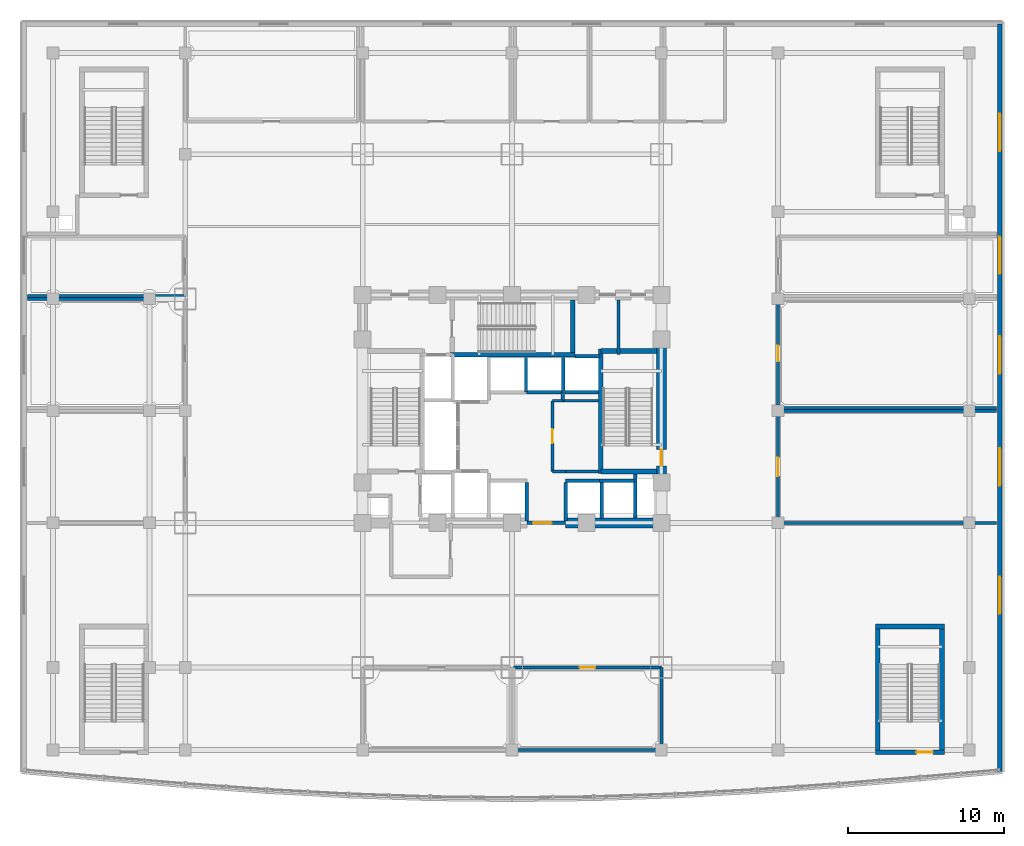
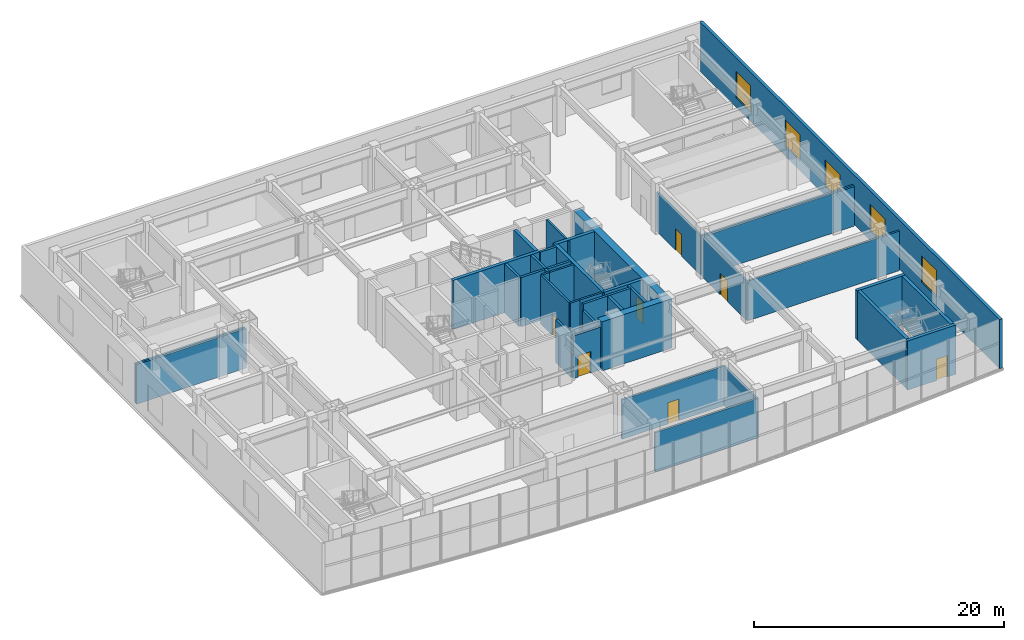
# One storey, part 13 of 24: 41 walls, 7 doors, 5 windows, 12 openings.
"""IFC4 building model written with IfcOpenShell, lengths in metres."""

from ifc_helpers import new_model, si_unit, direction, frame, frame_2d, origin, place, context, subcontext, project, spatial, rectangle, extrude, material, layer, layer_set, type_object, element, fill, save


model = new_model("IFC4")

# Units and contexts
model_context = context("Model", 3, precision=1e-05, world=origin(), true_north=direction((0.0, 1.0)))
body_context = subcontext(model_context, "Body", "Model", "MODEL_VIEW")
ifc_project = project(units=[si_unit("LENGTHUNIT", "METRE"), si_unit("AREAUNIT", "SQUARE_METRE"), si_unit("VOLUMEUNIT", "CUBIC_METRE"), si_unit("PLANEANGLEUNIT", "RADIAN"), si_unit("MASSUNIT", "GRAM", prefix="KILO")], contexts=[model_context])

# Site, building, storey
site_placement = place(None, origin())
site = spatial("IfcSite", under=ifc_project, at=site_placement, CompositionType="ELEMENT")
building_placement = place(site_placement, origin())
building = spatial("IfcBuilding", under=site, at=building_placement, Name="Vantalir Tower", CompositionType="ELEMENT")
storey_placement = place(building_placement, frame((0.0, 0.0, 11.0)))
storey = spatial("IfcBuildingStorey", under=building, at=storey_placement, Name="L02", CompositionType="ELEMENT", Elevation=11.0)

# Wall
ifc_material_1 = material(Name="Concrete C60/75", Category="concrete")
ifc_layer_1 = layer(ifc_material_1, 0.64990234375)
ifc_layer_set_1 = layer_set([ifc_layer_1], Name="Concrete C60/75")
wall_type_1 = type_object("IfcWallType", Name="WL-CORE-650", PredefinedType="SHEAR", material=ifc_layer_set_1)
wall_1_placement = place(storey_placement, frame((34.949951171875, 17.800048828125, 0.0), z_axis=(0.0, 0.0, 1.0), x_axis=(1.0, 0.0, 0.0)))
element("IfcWall", 1, at=wall_1_placement, inside=storey, type_object=wall_type_1, Name="Floor 2 Core Shear Wall South-East", PredefinedType="SHEAR", context=body_context, shape_type="SweptSolid", body=[
    extrude(rectangle(XDim=6.47509765625, YDim=0.64990234375, at=frame_2d((3.237548828125, 0.0))), origin(), (0.0, 0.0, 1.0), 4.820068359375),
])

# Wall, opening, door
wall_2_placement = place(storey_placement, frame((41.10009765625, 18.125, 0.0), z_axis=(0.0, 0.0, 1.0), x_axis=(0.0, 1.0, 0.0)))
wall_2 = element("IfcWall", 2, at=wall_2_placement, inside=storey, type_object=wall_type_1, Name="Floor 2 Core Shear Wall East", PredefinedType="SHEAR", context=body_context, shape_type="SweptSolid", body=[
    extrude(rectangle(XDim=14.0, YDim=0.64990234375, at=frame_2d((7.0, 0.0))), origin(), (0.0, 0.0, 1.0), 4.820068359375),
])
opening_1_placement = place(wall_2_placement, frame((3.3349609375, 0.0, 0.0)))
opening_1 = element("IfcOpeningElement", 3, at=opening_1_placement, cuts=wall_2, Name="Opening D-ST", PredefinedType="OPENING", context=body_context, shape_type="SweptSolid", body=[
    extrude(rectangle(XDim=1.050048828125, YDim=2.10009765625, at=frame_2d((0.52490234375, 1.050048828125))), frame((0.0, 0.3349609375, 0.0), z_axis=(0.0, -1.0, 0.0), x_axis=(1.0, 0.0, 0.0)), (0.0, 0.0, 1.0), 0.669921875),
])
ifc_material_2 = material(Name="Fire-rated steel door leaf", Category="steel")
door_type_1 = type_object("IfcDoorType", Name="DR-FIRE-STAIR-1050", OperationType="NOTDEFINED", PredefinedType="DOOR", material=ifc_material_2)
door_1_placement = place(opening_1_placement, origin())
door_1 = element("IfcDoor", 4, at=door_1_placement, inside=storey, type_object=door_type_1, Name="Floor 2 Exit Stair ST2 Fire Door", OperationType="SINGLE_SWING_LEFT", OverallHeight=2.10009765625, OverallWidth=1.050048828125, PredefinedType="DOOR", context=body_context, shape_type="SweptSolid", body=[
    extrude(rectangle(XDim=1.050048828125, YDim=2.10009765625, at=frame_2d((0.52490234375, 1.050048828125))), frame((0.0, 0.02490234375, 0.0), z_axis=(0.0, -1.0, 0.0), x_axis=(1.0, 0.0, 0.0)), (0.0, 0.0, 1.0), 0.050048828125),
])
fill(opening_1, door_1)

# Wall, openings, windows
ifc_material_3 = material(Name="Precast concrete C40/50 with insulated PVDF rainscreen", Category="concrete")
ifc_layer_2 = layer(ifc_material_3, 0.280029296875)
ifc_layer_set_2 = layer_set([ifc_layer_2], Name="Precast concrete C40/50 with insulated PVDF rainscreen")
wall_type_2 = type_object("IfcWallType", Name="WL-EXT-POD-280", PredefinedType="SOLIDWALL", material=ifc_layer_set_2)
wall_3_placement = place(storey_placement, frame((62.860107421875, 1.800048828125, 0.0), z_axis=(0.0, 0.0, 1.0), x_axis=(0.0, 1.0, 0.0)))
wall_3 = element("IfcWall", 5, at=wall_3_placement, inside=storey, type_object=wall_type_2, Name="Level 02 Podium East Precast Facade Wall", PredefinedType="SOLIDWALL", context=body_context, shape_type="SweptSolid", body=[
    extrude(rectangle(XDim=48.06005859375, YDim=0.280029296875, at=frame_2d((24.030029296875, 0.0))), origin(), (0.0, 0.0, 1.0), 4.820068359375),
])
opening_2_placement = place(wall_3_placement, frame((10.14990234375, 0.0, 0.89990234375)))
opening_2 = element("IfcOpeningElement", 6, at=opening_2_placement, cuts=wall_3, Name="Opening WN-1", PredefinedType="OPENING", context=body_context, shape_type="SweptSolid", body=[
    extrude(rectangle(XDim=2.39990234375, YDim=2.60009765625, at=frame_2d((1.199951171875, 1.300048828125))), frame((0.0, 0.14990234375, 0.0), z_axis=(0.0, -1.0, 0.0), x_axis=(1.0, 0.0, 0.0)), (0.0, 0.0, 1.0), 0.300048828125),
])
opening_3_placement = place(wall_3_placement, frame((18.39990234375, 0.0, 0.89990234375)))
opening_3 = element("IfcOpeningElement", 7, at=opening_3_placement, cuts=wall_3, Name="Opening WN-1", PredefinedType="OPENING", context=body_context, shape_type="SweptSolid", body=[
    extrude(rectangle(XDim=2.39990234375, YDim=2.60009765625, at=frame_2d((1.199951171875, 1.300048828125))), frame((0.0, 0.14990234375, 0.0), z_axis=(0.0, -1.0, 0.0), x_axis=(1.0, 0.0, 0.0)), (0.0, 0.0, 1.0), 0.300048828125),
])
opening_4_placement = place(wall_3_placement, frame((25.60009765625, 0.0, 0.89990234375)))
opening_4 = element("IfcOpeningElement", 8, at=opening_4_placement, cuts=wall_3, Name="Opening WN-1", PredefinedType="OPENING", context=body_context, shape_type="SweptSolid", body=[
    extrude(rectangle(XDim=2.39990234375, YDim=2.60009765625, at=frame_2d((1.199951171875, 1.300048828125))), frame((0.0, 0.14990234375, 0.0), z_axis=(0.0, -1.0, 0.0), x_axis=(1.0, 0.0, 0.0)), (0.0, 0.0, 1.0), 0.300048828125),
])
opening_5_placement = place(wall_3_placement, frame((32.0, 0.0, 0.89990234375)))
opening_5 = element("IfcOpeningElement", 9, at=opening_5_placement, cuts=wall_3, Name="Opening WN-1", PredefinedType="OPENING", context=body_context, shape_type="SweptSolid", body=[
    extrude(rectangle(XDim=2.39990234375, YDim=2.60009765625, at=frame_2d((1.199951171875, 1.300048828125))), frame((0.0, 0.14990234375, 0.0), z_axis=(0.0, -1.0, 0.0), x_axis=(1.0, 0.0, 0.0)), (0.0, 0.0, 1.0), 0.300048828125),
])
opening_6_placement = place(wall_3_placement, frame((39.89990234375, 0.0, 0.89990234375)))
opening_6 = element("IfcOpeningElement", 10, at=opening_6_placement, cuts=wall_3, Name="Opening WN-1", PredefinedType="OPENING", context=body_context, shape_type="SweptSolid", body=[
    extrude(rectangle(XDim=2.39990234375, YDim=2.60009765625, at=frame_2d((1.199951171875, 1.300048828125))), frame((0.0, 0.14990234375, 0.0), z_axis=(0.0, -1.0, 0.0), x_axis=(1.0, 0.0, 0.0)), (0.0, 0.0, 1.0), 0.300048828125),
])
ifc_material_4 = material(Name="Double-silver Low-E thermally broken window", Category="glass")
window_type = type_object("IfcWindowType", Name="WIN-POD-2400x2600", PartitioningType="SINGLE_PANEL", PredefinedType="WINDOW", material=ifc_material_4)
window_1_placement = place(opening_2_placement, origin())
window_1 = element("IfcWindow", 11, at=window_1_placement, inside=storey, type_object=window_type, Name="Level 02 East Podium Window E01", OverallHeight=2.60009765625, OverallWidth=2.39990234375, PartitioningType="SINGLE_PANEL", PredefinedType="WINDOW", context=body_context, shape_type="SweptSolid", body=[
    extrude(rectangle(XDim=2.39990234375, YDim=2.60009765625, at=frame_2d((1.199951171875, 1.300048828125))), frame((0.0, 0.030029296875, 0.0), z_axis=(0.0, -1.0, 0.0), x_axis=(1.0, 0.0, 0.0)), (0.0, 0.0, 1.0), 0.06005859375),
])
fill(opening_2, window_1)
window_2_placement = place(opening_3_placement, origin())
window_2 = element("IfcWindow", 12, at=window_2_placement, inside=storey, type_object=window_type, Name="Level 02 East Podium Window E02", OverallHeight=2.60009765625, OverallWidth=2.39990234375, PartitioningType="SINGLE_PANEL", PredefinedType="WINDOW", context=body_context, shape_type="SweptSolid", body=[
    extrude(rectangle(XDim=2.39990234375, YDim=2.60009765625, at=frame_2d((1.199951171875, 1.300048828125))), frame((0.0, 0.030029296875, 0.0), z_axis=(0.0, -1.0, 0.0), x_axis=(1.0, 0.0, 0.0)), (0.0, 0.0, 1.0), 0.06005859375),
])
fill(opening_3, window_2)
window_3_placement = place(opening_4_placement, origin())
window_3 = element("IfcWindow", 13, at=window_3_placement, inside=storey, type_object=window_type, Name="Level 02 East Podium Window E03", OverallHeight=2.60009765625, OverallWidth=2.39990234375, PartitioningType="SINGLE_PANEL", PredefinedType="WINDOW", context=body_context, shape_type="SweptSolid", body=[
    extrude(rectangle(XDim=2.39990234375, YDim=2.60009765625, at=frame_2d((1.199951171875, 1.300048828125))), frame((0.0, 0.030029296875, 0.0), z_axis=(0.0, -1.0, 0.0), x_axis=(1.0, 0.0, 0.0)), (0.0, 0.0, 1.0), 0.06005859375),
])
fill(opening_4, window_3)
window_4_placement = place(opening_5_placement, origin())
window_4 = element("IfcWindow", 14, at=window_4_placement, inside=storey, type_object=window_type, Name="Level 02 East Podium Window E04", OverallHeight=2.60009765625, OverallWidth=2.39990234375, PartitioningType="SINGLE_PANEL", PredefinedType="WINDOW", context=body_context, shape_type="SweptSolid", body=[
    extrude(rectangle(XDim=2.39990234375, YDim=2.60009765625, at=frame_2d((1.199951171875, 1.300048828125))), frame((0.0, 0.030029296875, 0.0), z_axis=(0.0, -1.0, 0.0), x_axis=(1.0, 0.0, 0.0)), (0.0, 0.0, 1.0), 0.06005859375),
])
fill(opening_5, window_4)
window_5_placement = place(opening_6_placement, origin())
window_5 = element("IfcWindow", 15, at=window_5_placement, inside=storey, type_object=window_type, Name="Level 02 East Podium Window E05", OverallHeight=2.60009765625, OverallWidth=2.39990234375, PartitioningType="SINGLE_PANEL", PredefinedType="WINDOW", context=body_context, shape_type="SweptSolid", body=[
    extrude(rectangle(XDim=2.39990234375, YDim=2.60009765625, at=frame_2d((1.199951171875, 1.300048828125))), frame((0.0, 0.030029296875, 0.0), z_axis=(0.0, -1.0, 0.0), x_axis=(1.0, 0.0, 0.0)), (0.0, 0.0, 1.0), 0.06005859375),
])
fill(opening_6, window_5)

# Walls
ifc_material_5 = material(Name="Concrete blockwork with fireboard lining", Category="masonry")
ifc_layer_3 = layer(ifc_material_5, 0.219970703125)
ifc_layer_set_3 = layer_set([ifc_layer_3], Name="Concrete blockwork with fireboard lining")
wall_type_3 = type_object("IfcWallType", Name="WL-FFL-220", PredefinedType="PARTITIONING", material=ifc_layer_set_3)
for number, where, z_axis, x_axis, name in (
    (16, (32.449951171875, 17.919921875, 0.0), (0.0, 0.0, 1.0), (0.0, 1.0, 0.0), "Level 02 Shuttle Lift PL-X1 East Shaft Cheek"),
    (17, (34.949951171875, 17.919921875, 0.0), (0.0, 0.0, 1.0), (0.0, 1.0, 0.0), "Level 02 Shuttle Lift PL-X3 West Shaft Cheek"),
):
    element("IfcWall", number, at=place(storey_placement, frame(where, z_axis=z_axis, x_axis=x_axis)), inside=storey, type_object=wall_type_3, Name=name, PredefinedType="PARTITIONING", context=body_context, shape_type="SweptSolid", body=[
        extrude(rectangle(XDim=2.469970703125, YDim=0.219970703125, at=frame_2d((1.23486328125, 0.0))), origin(), (0.0, 0.0, 1.0), 4.177978515625),
    ])
wall_4_placement = place(storey_placement, frame((37.27490234375, 18.080078125, 0.0), z_axis=(0.0, 0.0, 1.0), x_axis=(0.0, 1.0, 0.0)))
element("IfcWall", 18, at=wall_4_placement, inside=storey, type_object=wall_type_3, Name="Level 02 Shuttle Lift PL-X2/X3 Shaft Divider", PredefinedType="PARTITIONING", context=body_context, shape_type="SweptSolid", body=[
    extrude(rectangle(XDim=2.309814453125, YDim=0.219970703125, at=frame_2d((1.15478515625, 0.0))), origin(), (0.0, 0.0, 1.0), 4.794921875),
])
wall_5_placement = place(storey_placement, frame((32.39990234375, 26.199951171875, 0.0), z_axis=(0.0, 0.0, 1.0), x_axis=(0.0, 1.0, 0.0)))
element("IfcWall", 19, at=wall_5_placement, inside=storey, type_object=wall_type_3, Name="Level 02 High-Rise Lift PL-H1/H2 Shaft Divider", PredefinedType="PARTITIONING", context=body_context, shape_type="SweptSolid", body=[
    extrude(rectangle(XDim=2.239990234375, YDim=0.219970703125, at=frame_2d((1.1201171875, 0.0))), origin(), (0.0, 0.0, 1.0), 4.794921875),
])
wall_6_placement = place(storey_placement, frame((34.800048828125, 26.22998046875, 0.0), z_axis=(0.0, 0.0, 1.0), x_axis=(0.0, 1.0, 0.0)))
element("IfcWall", 20, at=wall_6_placement, inside=storey, type_object=wall_type_3, Name="Level 02 High-Rise Lift PL-H2/H3 Shaft Divider", PredefinedType="PARTITIONING", context=body_context, shape_type="SweptSolid", body=[
    extrude(rectangle(XDim=2.2099609375, YDim=0.219970703125, at=frame_2d((1.10498046875, 0.0))), origin(), (0.0, 0.0, 1.0), 4.794921875),
])
wall_7_placement = place(storey_placement, frame((34.909912109375, 26.18994140625, 0.0), z_axis=(0.0, 0.0, 1.0), x_axis=(1.0, 0.0, 0.0)))
element("IfcWall", 21, at=wall_7_placement, inside=storey, type_object=wall_type_3, Name="Level 02 High-Rise Lift PL-H3 Rear Shaft Wall", PredefinedType="PARTITIONING", context=body_context, shape_type="SweptSolid", body=[
    extrude(rectangle(XDim=2.14013671875, YDim=0.219970703125, at=frame_2d((1.070068359375, 0.0))), origin(), (0.0, 0.0, 1.0), 4.794921875),
])

# Wall, opening, door
wall_8_placement = place(storey_placement, frame((32.449951171875, 17.800048828125, 0.0), z_axis=(0.0, 0.0, 1.0), x_axis=(1.0, 0.0, 0.0)))
wall_8 = element("IfcWall", 22, at=wall_8_placement, inside=storey, type_object=wall_type_3, Name="Floor 2 Passenger Lift Lobby South Wall", PredefinedType="PARTITIONING", context=body_context, shape_type="SweptSolid", body=[
    extrude(rectangle(XDim=2.5, YDim=0.219970703125, at=frame_2d((1.25, 0.0))), origin(), (0.0, 0.0, 1.0), 4.177978515625),
])
opening_7_placement = place(wall_8_placement, frame((0.39990234375, 0.0, 0.0)))
opening_7 = element("IfcOpeningElement", 23, at=opening_7_placement, cuts=wall_8, Name="Opening D-STE", PredefinedType="OPENING", context=body_context, shape_type="SweptSolid", body=[
    extrude(rectangle(XDim=1.199951171875, YDim=2.10009765625, at=frame_2d((0.60009765625, 1.050048828125))), frame((0.0, 0.119873046875, 0.0), z_axis=(0.0, -1.0, 0.0), x_axis=(1.0, 0.0, 0.0)), (0.0, 0.0, 1.0), 0.239990234375),
])
ifc_material_6 = material(Name="Solid-core teak veneer suite entrance door", Category="wood")
door_type_2 = type_object("IfcDoorType", Name="DR-SUITE-ENTRY-1200", OperationType="NOTDEFINED", PredefinedType="DOOR", material=ifc_material_6)
door_2_placement = place(opening_7_placement, origin())
door_2 = element("IfcDoor", 24, at=door_2_placement, inside=storey, type_object=door_type_2, Name="Floor 2 Passenger Lift Lobby Concourse Door", OperationType="SINGLE_SWING_LEFT", OverallHeight=2.10009765625, OverallWidth=1.199951171875, PredefinedType="DOOR", context=body_context, shape_type="SweptSolid", body=[
    extrude(rectangle(XDim=1.199951171875, YDim=2.10009765625, at=frame_2d((0.60009765625, 1.050048828125))), frame((0.0, 0.02490234375, 0.0), z_axis=(0.0, -1.0, 0.0), x_axis=(1.0, 0.0, 0.0)), (0.0, 0.0, 1.0), 0.050048828125),
])
fill(opening_7, door_2)

# Walls
wall_9_placement = place(storey_placement, frame((39.419921875, 18.125, 0.0), z_axis=(0.0, 0.0, 1.0), x_axis=(0.0, 1.0, 0.0)))
element("IfcWall", 25, at=wall_9_placement, inside=storey, type_object=wall_type_3, Name="Floor 2 East MEP Riser Wall W", PredefinedType="PARTITIONING", context=body_context, shape_type="SweptSolid", body=[
    extrude(rectangle(XDim=2.824951171875, YDim=0.219970703125, at=frame_2d((1.41259765625, 0.0))), origin(), (0.0, 0.0, 1.0), 4.800048828125),
])
for number, where, z_axis, x_axis, name in (
    (26, (37.139892578125, 20.510009765625, 0.0), (0.0, 0.0, 1.0), (1.0, 0.0, 0.0), "Floor 2 Lift PL-X2 Shaft Rear Wall"),
    (27, (34.93994140625, 20.510009765625, 0.0), (0.0, 0.0, 1.0), (1.0, 0.0, 0.0), "Floor 2 Lift PL-X3 Shaft Front Wall"),
):
    element("IfcWall", number, at=place(storey_placement, frame(where, z_axis=z_axis, x_axis=x_axis)), inside=storey, type_object=wall_type_3, Name=name, PredefinedType="PARTITIONING", context=body_context, shape_type="SweptSolid", body=[
        extrude(rectangle(XDim=2.239990234375, YDim=0.219970703125, at=frame_2d((1.1201171875, 0.0))), origin(), (0.0, 0.0, 1.0), 4.800048828125),
    ])
wall_10_placement = place(storey_placement, frame((32.43994140625, 26.18994140625, 0.0), z_axis=(0.0, 0.0, 1.0), x_axis=(1.0, 0.0, 0.0)))
element("IfcWall", 28, at=wall_10_placement, inside=storey, type_object=wall_type_3, Name="Floor 2 Lift PL-H2 Shaft Front Wall", PredefinedType="PARTITIONING", context=body_context, shape_type="SweptSolid", body=[
    extrude(rectangle(XDim=2.320068359375, YDim=0.219970703125, at=frame_2d((1.16015625, 0.0))), origin(), (0.0, 0.0, 1.0), 4.800048828125),
])
wall_11_placement = place(storey_placement, frame((35.56005859375, 28.510009765625, 0.0), z_axis=(0.0, 0.0, 1.0), x_axis=(1.0, 0.0, 0.0)))
element("IfcWall", 29, at=wall_11_placement, inside=storey, type_object=wall_type_3, Name="Floor 2 Lift PL-H3 Shaft Front Wall", PredefinedType="PARTITIONING", context=body_context, shape_type="SweptSolid", body=[
    extrude(rectangle(XDim=1.599853515625, YDim=0.219970703125, at=frame_2d((0.7998046875, 0.0))), origin(), (0.0, 0.0, 1.0), 4.800048828125),
])
wall_12_placement = place(storey_placement, frame((34.760009765625, 25.64990234375, 0.0), z_axis=(0.0, 0.0, 1.0), x_axis=(0.0, 1.0, 0.0)))
element("IfcWall", 30, at=wall_12_placement, inside=storey, type_object=wall_type_3, Name="Floor 2 High-Rise Shaft Shoulder Wall", PredefinedType="PARTITIONING", context=body_context, shape_type="SweptSolid", body=[
    extrude(rectangle(XDim=0.570068359375, YDim=0.219970703125, at=frame_2d((0.28515625, 0.0))), origin(), (0.0, 0.0, 1.0), 4.800048828125),
])
ifc_material_7 = material(Name="Twin-stud acoustic fire-rated gypsum partition", Category="gypsum")
ifc_layer_4 = layer(ifc_material_7, 0.179931640625)
ifc_layer_set_4 = layer_set([ifc_layer_4], Name="Twin-stud acoustic fire-rated gypsum partition")
wall_type_4 = type_object("IfcWallType", Name="WL-GUEST-180", PredefinedType="PARTITIONING", material=ifc_layer_set_4)
wall_13_placement = place(storey_placement, frame((34.97998046875, 21.10009765625, 0.0), z_axis=(0.0, 0.0, 1.0), x_axis=(1.0, 0.0, 0.0)))
element("IfcWall", 31, at=wall_13_placement, inside=storey, type_object=wall_type_4, Name="Floor 2 Freed East Core South Wall", PredefinedType="PARTITIONING", context=body_context, shape_type="SweptSolid", body=[
    extrude(rectangle(XDim=2.080078125, YDim=0.179931640625, at=frame_2d((1.0400390625, 0.0))), origin(), (0.0, 0.0, 1.0), 4.800048828125),
])
wall_14_placement = place(storey_placement, frame((34.719970703125, 25.64990234375, 0.0), z_axis=(0.0, 0.0, 1.0), x_axis=(1.0, 0.0, 0.0)))
element("IfcWall", 32, at=wall_14_placement, inside=storey, type_object=wall_type_4, Name="Floor 2 Freed East Core North Wall", PredefinedType="PARTITIONING", context=body_context, shape_type="SweptSolid", body=[
    extrude(rectangle(XDim=2.340087890625, YDim=0.179931640625, at=frame_2d((1.169921875, 0.0))), origin(), (0.0, 0.0, 1.0), 4.800048828125),
])
wall_15_placement = place(storey_placement, frame((34.10009765625, 21.10009765625, 0.0), z_axis=(0.0, 0.0, 1.0), x_axis=(1.0, 0.0, 0.0)))
element("IfcWall", 33, at=wall_15_placement, inside=storey, type_object=wall_type_4, Name="Floor 2 East Core Room South Return", PredefinedType="PARTITIONING", context=body_context, shape_type="SweptSolid", body=[
    extrude(rectangle(XDim=0.8798828125, YDim=0.179931640625, at=frame_2d((0.43994140625, 0.0))), origin(), (0.0, 0.0, 1.0), 4.800048828125),
])
wall_16_placement = place(storey_placement, frame((34.10009765625, 25.64990234375, 0.0), z_axis=(0.0, 0.0, 1.0), x_axis=(1.0, 0.0, 0.0)))
element("IfcWall", 34, at=wall_16_placement, inside=storey, type_object=wall_type_4, Name="Floor 2 East Core Room North Return", PredefinedType="PARTITIONING", context=body_context, shape_type="SweptSolid", body=[
    extrude(rectangle(XDim=0.659912109375, YDim=0.179931640625, at=frame_2d((0.330078125, 0.0))), origin(), (0.0, 0.0, 1.0), 4.800048828125),
])

# Wall, opening, door
wall_17_placement = place(storey_placement, frame((34.10009765625, 21.10009765625, 0.0), z_axis=(0.0, 0.0, 1.0), x_axis=(0.0, 1.0, 0.0)))
wall_17 = element("IfcWall", 35, at=wall_17_placement, inside=storey, type_object=wall_type_4, Name="Floor 2 East Core Room West Wall", PredefinedType="PARTITIONING", context=body_context, shape_type="SweptSolid", body=[
    extrude(rectangle(XDim=4.5498046875, YDim=0.179931640625, at=frame_2d((2.27490234375, 0.0))), origin(), (0.0, 0.0, 1.0), 4.800048828125),
])
opening_8_placement = place(wall_17_placement, frame((1.824951171875, 0.0, 0.0)))
opening_8 = element("IfcOpeningElement", 36, at=opening_8_placement, cuts=wall_17, Name="Opening D-CR", PredefinedType="OPENING", context=body_context, shape_type="SweptSolid", body=[
    extrude(rectangle(XDim=0.89990234375, YDim=2.10009765625, at=frame_2d((0.449951171875, 1.050048828125))), frame((0.0, 0.099853515625, 0.0), z_axis=(0.0, -1.0, 0.0), x_axis=(1.0, 0.0, 0.0)), (0.0, 0.0, 1.0), 0.199951171875),
])
ifc_material_8 = material(Name="Fire-rated steel core service door", Category="steel")
door_type_3 = type_object("IfcDoorType", Name="DR-CORE-SERV-900", OperationType="NOTDEFINED", PredefinedType="DOOR", material=ifc_material_8)
door_3_placement = place(opening_8_placement, frame((0.89990234375, 0.0, 0.0), z_axis=(0.0, 0.0, 1.0), x_axis=(-1.0, 0.0, 0.0)))
door_3 = element("IfcDoor", 37, at=door_3_placement, inside=storey, type_object=door_type_3, Name="Floor 2 Core Linen Store Door", OperationType="SINGLE_SWING_LEFT", OverallHeight=2.10009765625, OverallWidth=0.89990234375, PredefinedType="DOOR", context=body_context, shape_type="SweptSolid", body=[
    extrude(rectangle(XDim=0.89990234375, YDim=2.10009765625, at=frame_2d((0.449951171875, 1.050048828125))), frame((0.0, 0.02490234375, 0.0), z_axis=(0.0, -1.0, 0.0), x_axis=(1.0, 0.0, 0.0)), (0.0, 0.0, 1.0), 0.050048828125),
])
fill(opening_8, door_3)

# Walls
wall_18_placement = place(storey_placement, frame((38.340087890625, 28.6201171875, 0.0), z_axis=(0.0, 0.0, 1.0), x_axis=(0.0, 1.0, 0.0)))
element("IfcWall", 38, at=wall_18_placement, inside=storey, type_object=wall_type_4, Name="Floor 2 High-Rise Lift Lobby East Wall", PredefinedType="PARTITIONING", context=body_context, shape_type="SweptSolid", body=[
    extrude(rectangle(XDim=3.5048828125, YDim=0.179931640625, at=frame_2d((1.75244140625, 0.0))), origin(), (0.0, 0.0, 1.0), 4.800048828125),
])
for number, where, z_axis, x_axis, name in (
    (39, (48.60009765625, 17.800048828125, 0.0), (0.0, 0.0, 1.0), (1.0, 0.0, 0.0), "Floor 2 Conference Hall B South Wall"),
    (40, (48.60009765625, 25.0, 0.0), (0.0, 0.0, 1.0), (1.0, 0.0, 0.0), "Floor 2 Conference Hall B North Wall"),
):
    element("IfcWall", number, at=place(storey_placement, frame(where, z_axis=z_axis, x_axis=x_axis)), inside=storey, type_object=wall_type_4, Name=name, PredefinedType="PARTITIONING", context=body_context, shape_type="SweptSolid", body=[
        extrude(rectangle(XDim=14.0498046875, YDim=0.179931640625, at=frame_2d((7.02490234375, 0.0))), origin(), (0.0, 0.0, 1.0), 3.867919921875),
    ])

# Wall, opening, door
wall_19_placement = place(storey_placement, frame((48.60009765625, 17.800048828125, 0.0), z_axis=(0.0, 0.0, 1.0), x_axis=(0.0, 1.0, 0.0)))
wall_19 = element("IfcWall", 41, at=wall_19_placement, inside=storey, type_object=wall_type_4, Name="Floor 2 Conference Hall B West Wall", PredefinedType="PARTITIONING", context=body_context, shape_type="SweptSolid", body=[
    extrude(rectangle(XDim=7.199951171875, YDim=0.179931640625, at=frame_2d((3.60009765625, 0.0))), origin(), (0.0, 0.0, 1.0), 3.867919921875),
])
opening_9_placement = place(wall_19_placement, frame((3.0, 0.0, 0.0)))
opening_9 = element("IfcOpeningElement", 42, at=opening_9_placement, cuts=wall_19, Name="Opening D-STE", PredefinedType="OPENING", context=body_context, shape_type="SweptSolid", body=[
    extrude(rectangle(XDim=1.199951171875, YDim=2.10009765625, at=frame_2d((0.60009765625, 1.050048828125))), frame((0.0, 0.099853515625, 0.0), z_axis=(0.0, -1.0, 0.0), x_axis=(1.0, 0.0, 0.0)), (0.0, 0.0, 1.0), 0.199951171875),
])
door_4_placement = place(opening_9_placement, frame((1.199951171875, 0.0, 0.0), z_axis=(0.0, 0.0, 1.0), x_axis=(-1.0, 0.0, 0.0)))
door_4 = element("IfcDoor", 43, at=door_4_placement, inside=storey, type_object=door_type_2, Name="Floor 2 Conference Hall B Door", OperationType="SINGLE_SWING_LEFT", OverallHeight=2.10009765625, OverallWidth=1.199951171875, PredefinedType="DOOR", context=body_context, shape_type="SweptSolid", body=[
    extrude(rectangle(XDim=1.199951171875, YDim=2.10009765625, at=frame_2d((0.60009765625, 1.050048828125))), frame((0.0, 0.02490234375, 0.0), z_axis=(0.0, -1.0, 0.0), x_axis=(1.0, 0.0, 0.0)), (0.0, 0.0, 1.0), 0.050048828125),
])
fill(opening_9, door_4)

# Walls
for number, where, z_axis, x_axis, name in (
    (44, (0.35009765625, 32.199951171875, 0.0), (0.0, 0.0, 1.0), (1.0, 0.0, 0.0), "Floor 2 Conference Room 1 North Wall"),
    (45, (0.35009765625, 32.3798828125, 0.0), (0.0, 0.0, 1.0), (1.0, 0.0, 0.0), "Floor 2 Seminar Room 1 South Wall"),
):
    element("IfcWall", number, at=place(storey_placement, frame(where, z_axis=z_axis, x_axis=x_axis)), inside=storey, type_object=wall_type_4, Name=name, PredefinedType="PARTITIONING", context=body_context, shape_type="SweptSolid", body=[
        extrude(rectangle(XDim=10.14990234375, YDim=0.179931640625, at=frame_2d((5.074951171875, 0.0))), origin(), (0.0, 0.0, 1.0), 3.867919921875),
    ])
wall_20_placement = place(storey_placement, frame((48.60009765625, 25.179931640625, 0.0), z_axis=(0.0, 0.0, 1.0), x_axis=(1.0, 0.0, 0.0)))
element("IfcWall", 46, at=wall_20_placement, inside=storey, type_object=wall_type_4, Name="Floor 2 Conference Room 2 South Wall", PredefinedType="PARTITIONING", context=body_context, shape_type="SweptSolid", body=[
    extrude(rectangle(XDim=14.0498046875, YDim=0.179931640625, at=frame_2d((7.02490234375, 0.0))), origin(), (0.0, 0.0, 1.0), 3.867919921875),
])

# Wall, opening, door
wall_21_placement = place(storey_placement, frame((48.60009765625, 25.179931640625, 0.0), z_axis=(0.0, 0.0, 1.0), x_axis=(0.0, 1.0, 0.0)))
wall_21 = element("IfcWall", 47, at=wall_21_placement, inside=storey, type_object=wall_type_4, Name="Floor 2 Conference Room 2 West Wall", PredefinedType="PARTITIONING", context=body_context, shape_type="SweptSolid", body=[
    extrude(rectangle(XDim=7.02001953125, YDim=0.179931640625, at=frame_2d((3.510009765625, 0.0))), origin(), (0.0, 0.0, 1.0), 3.867919921875),
])
opening_10_placement = place(wall_21_placement, frame((3.010009765625, 0.0, 0.0)))
opening_10 = element("IfcOpeningElement", 48, at=opening_10_placement, cuts=wall_21, Name="Opening D-GUEST", PredefinedType="OPENING", context=body_context, shape_type="SweptSolid", body=[
    extrude(rectangle(XDim=1.0, YDim=2.10009765625, at=frame_2d((0.5, 1.050048828125))), frame((0.0, 0.099853515625, 0.0), z_axis=(0.0, -1.0, 0.0), x_axis=(1.0, 0.0, 0.0)), (0.0, 0.0, 1.0), 0.199951171875),
])
ifc_material_9 = material(Name="Solid-core teak veneer acoustic fire door", Category="wood")
door_type_4 = type_object("IfcDoorType", Name="DR-GUEST-ENTRY-1000", OperationType="NOTDEFINED", PredefinedType="DOOR", material=ifc_material_9)
door_5_placement = place(opening_10_placement, frame((1.0, 0.0, 0.0), z_axis=(0.0, 0.0, 1.0), x_axis=(-1.0, 0.0, 0.0)))
door_5 = element("IfcDoor", 49, at=door_5_placement, inside=storey, type_object=door_type_4, Name="Floor 2 Conference Room 2 Door", OperationType="SINGLE_SWING_LEFT", OverallHeight=2.10009765625, OverallWidth=1.0, PredefinedType="DOOR", context=body_context, shape_type="SweptSolid", body=[
    extrude(rectangle(XDim=1.0, YDim=2.10009765625, at=frame_2d((0.5, 1.050048828125))), frame((0.0, 0.02490234375, 0.0), z_axis=(0.0, -1.0, 0.0), x_axis=(1.0, 0.0, 0.0)), (0.0, 0.0, 1.0), 0.050048828125),
])
fill(opening_10, door_5)

# Wall
wall_22_placement = place(storey_placement, frame((31.60009765625, 3.199951171875, 0.0), z_axis=(0.0, 0.0, 1.0), x_axis=(1.0, 0.0, 0.0)))
element("IfcWall", 50, at=wall_22_placement, inside=storey, type_object=wall_type_4, Name="Floor 2 Executive Boardroom 2 South Wall", PredefinedType="PARTITIONING", context=body_context, shape_type="SweptSolid", body=[
    extrude(rectangle(XDim=9.5, YDim=0.179931640625, at=frame_2d((4.75, 0.0))), origin(), (0.0, 0.0, 1.0), 3.867919921875),
])

# Wall, opening, door
wall_23_placement = place(storey_placement, frame((31.60009765625, 8.5, 0.0), z_axis=(0.0, 0.0, 1.0), x_axis=(1.0, 0.0, 0.0)))
wall_23 = element("IfcWall", 51, at=wall_23_placement, inside=storey, type_object=wall_type_4, Name="Floor 2 Executive Boardroom 2 North Wall", PredefinedType="PARTITIONING", context=body_context, shape_type="SweptSolid", body=[
    extrude(rectangle(XDim=9.5, YDim=0.179931640625, at=frame_2d((4.75, 0.0))), origin(), (0.0, 0.0, 1.0), 3.867919921875),
])
opening_11_placement = place(wall_23_placement, frame((4.25, 0.0, 0.0)))
opening_11 = element("IfcOpeningElement", 52, at=opening_11_placement, cuts=wall_23, Name="Opening D-GUEST", PredefinedType="OPENING", context=body_context, shape_type="SweptSolid", body=[
    extrude(rectangle(XDim=1.0, YDim=2.10009765625, at=frame_2d((0.5, 1.050048828125))), frame((0.0, 0.099853515625, 0.0), z_axis=(0.0, -1.0, 0.0), x_axis=(1.0, 0.0, 0.0)), (0.0, 0.0, 1.0), 0.199951171875),
])
door_6_placement = place(opening_11_placement, frame((1.0, 0.0, 0.0), z_axis=(0.0, 0.0, 1.0), x_axis=(-1.0, 0.0, 0.0)))
door_6 = element("IfcDoor", 53, at=door_6_placement, inside=storey, type_object=door_type_4, Name="Floor 2 Executive Boardroom 2 Door", OperationType="SINGLE_SWING_RIGHT", OverallHeight=2.10009765625, OverallWidth=1.0, PredefinedType="DOOR", context=body_context, shape_type="SweptSolid", body=[
    extrude(rectangle(XDim=1.0, YDim=2.10009765625, at=frame_2d((0.5, 1.050048828125))), frame((0.0, 0.02490234375, 0.0), z_axis=(0.0, -1.0, 0.0), x_axis=(1.0, 0.0, 0.0)), (0.0, 0.0, 1.0), 0.050048828125),
])
fill(opening_11, door_6)

# Walls
wall_24_placement = place(storey_placement, frame((41.10009765625, 3.199951171875, 0.0), z_axis=(0.0, 0.0, 1.0), x_axis=(0.0, 1.0, 0.0)))
element("IfcWall", 54, at=wall_24_placement, inside=storey, type_object=wall_type_4, Name="Floor 2 Executive Boardroom 2 East Wall", PredefinedType="PARTITIONING", context=body_context, shape_type="SweptSolid", body=[
    extrude(rectangle(XDim=5.300048828125, YDim=0.179931640625, at=frame_2d((2.64990234375, 0.0))), origin(), (0.0, 0.0, 1.0), 3.867919921875),
])
ifc_material_10 = material(Name="Concrete C50/60", Category="concrete")
ifc_layer_5 = layer(ifc_material_10, 0.300048828125)
ifc_layer_set_5 = layer_set([ifc_layer_5], Name="Concrete C50/60")
wall_type_5 = type_object("IfcWallType", Name="WL-STAIR-300", PredefinedType="SHEAR", material=ifc_layer_set_5)
for number, where, z_axis, x_axis, name in (
    (55, (37.2099609375, 21.10009765625, 0.0), (0.0, 0.0, 1.0), (1.0, 0.0, 0.0), "Floor 2 Stair ST2 South Wall"),
    (56, (37.2099609375, 28.85009765625, 0.0), (0.0, 0.0, 1.0), (1.0, 0.0, 0.0), "Floor 2 Stair ST2 North Wall"),
):
    element("IfcWall", number, at=place(storey_placement, frame(where, z_axis=z_axis, x_axis=x_axis)), inside=storey, type_object=wall_type_5, Name=name, PredefinedType="SHEAR", context=body_context, shape_type="SweptSolid", body=[
        extrude(rectangle(XDim=3.56494140625, YDim=0.300048828125, at=frame_2d((1.782470703125, 0.0))), origin(), (0.0, 0.0, 1.0), 4.820068359375),
    ])
wall_25_placement = place(storey_placement, frame((37.2099609375, 20.97998046875, 0.0), z_axis=(0.0, 0.0, 1.0), x_axis=(0.0, 1.0, 0.0)))
element("IfcWall", 57, at=wall_25_placement, inside=storey, type_object=wall_type_5, Name="Floor 2 Stair ST2 West Wall", PredefinedType="SHEAR", context=body_context, shape_type="SweptSolid", body=[
    extrude(rectangle(XDim=7.989990234375, YDim=0.300048828125, at=frame_2d((3.9951171875, 0.0))), origin(), (0.0, 0.0, 1.0), 4.820068359375),
])
wall_26_placement = place(storey_placement, frame((27.510009765625, 28.60009765625, 0.0), z_axis=(0.0, 0.0, 1.0), x_axis=(1.0, 0.0, 0.0)))
element("IfcWall", 58, at=wall_26_placement, inside=storey, type_object=wall_type_5, Name="Floor 2 Stair ST3 South Wall", PredefinedType="SHEAR", context=body_context, shape_type="SweptSolid", body=[
    extrude(rectangle(XDim=8.030029296875, YDim=0.300048828125, at=frame_2d((4.01513671875, 0.0))), origin(), (0.0, 0.0, 1.0), 4.820068359375),
])
wall_27_placement = place(storey_placement, frame((35.39990234375, 28.75, 0.0), z_axis=(0.0, 0.0, 1.0), x_axis=(0.0, 1.0, 0.0)))
element("IfcWall", 59, at=wall_27_placement, inside=storey, type_object=wall_type_5, Name="Floor 2 Stair ST3 East Wall", PredefinedType="SHEAR", context=body_context, shape_type="SweptSolid", body=[
    extrude(rectangle(XDim=3.375, YDim=0.300048828125, at=frame_2d((1.6875, 0.0))), origin(), (0.0, 0.0, 1.0), 4.820068359375),
])

# Wall, opening, door
wall_28_placement = place(storey_placement, frame((54.85009765625, 3.06005859375, 0.0), z_axis=(0.0, 0.0, 1.0), x_axis=(1.0, 0.0, 0.0)))
wall_28 = element("IfcWall", 60, at=wall_28_placement, inside=storey, type_object=wall_type_5, Name="Floor 2 PST4 South Wall", PredefinedType="SHEAR", context=body_context, shape_type="SweptSolid", body=[
    extrude(rectangle(XDim=4.449951171875, YDim=0.300048828125, at=frame_2d((2.22509765625, 0.0))), origin(), (0.0, 0.0, 1.0), 4.820068359375),
])
opening_12_placement = place(wall_28_placement, frame((2.64990234375, 0.0, 0.0)))
opening_12 = element("IfcOpeningElement", 61, at=opening_12_placement, cuts=wall_28, Name="Opening D-ST", PredefinedType="OPENING", context=body_context, shape_type="SweptSolid", body=[
    extrude(rectangle(XDim=1.050048828125, YDim=2.10009765625, at=frame_2d((0.52490234375, 1.050048828125))), frame((0.0, 0.159912109375, 0.0), z_axis=(0.0, -1.0, 0.0), x_axis=(1.0, 0.0, 0.0)), (0.0, 0.0, 1.0), 0.320068359375),
])
door_7_placement = place(opening_12_placement, origin())
door_7 = element("IfcDoor", 62, at=door_7_placement, inside=storey, type_object=door_type_1, Name="Floor 2 Podium Stair PST4 Fire Door", OperationType="SINGLE_SWING_LEFT", OverallHeight=2.10009765625, OverallWidth=1.050048828125, PredefinedType="DOOR", context=body_context, shape_type="SweptSolid", body=[
    extrude(rectangle(XDim=1.050048828125, YDim=2.10009765625, at=frame_2d((0.52490234375, 1.050048828125))), frame((0.0, 0.02490234375, 0.0), z_axis=(0.0, -1.0, 0.0), x_axis=(1.0, 0.0, 0.0)), (0.0, 0.0, 1.0), 0.050048828125),
])
fill(opening_12, door_7)

# Walls
wall_29_placement = place(storey_placement, frame((54.85009765625, 11.139892578125, 0.0), z_axis=(0.0, 0.0, 1.0), x_axis=(1.0, 0.0, 0.0)))
element("IfcWall", 63, at=wall_29_placement, inside=storey, type_object=wall_type_5, Name="Floor 2 PST4 North Wall", PredefinedType="SHEAR", context=body_context, shape_type="SweptSolid", body=[
    extrude(rectangle(XDim=4.449951171875, YDim=0.300048828125, at=frame_2d((2.22509765625, 0.0))), origin(), (0.0, 0.0, 1.0), 4.820068359375),
])
for number, where, z_axis, x_axis, name in (
    (64, (55.010009765625, 3.06005859375, 0.0), (0.0, 0.0, 1.0), (0.0, 1.0, 0.0), "Floor 2 PST4 West Wall"),
    (65, (59.139892578125, 3.06005859375, 0.0), (0.0, 0.0, 1.0), (0.0, 1.0, 0.0), "Floor 2 PST4 East Wall"),
):
    element("IfcWall", number, at=place(storey_placement, frame(where, z_axis=z_axis, x_axis=x_axis)), inside=storey, type_object=wall_type_5, Name=name, PredefinedType="SHEAR", context=body_context, shape_type="SweptSolid", body=[
        extrude(rectangle(XDim=8.079833984375, YDim=0.300048828125, at=frame_2d((4.0400390625, 0.0))), origin(), (0.0, 0.0, 1.0), 4.820068359375),
    ])

save(model, "model.ifc")
